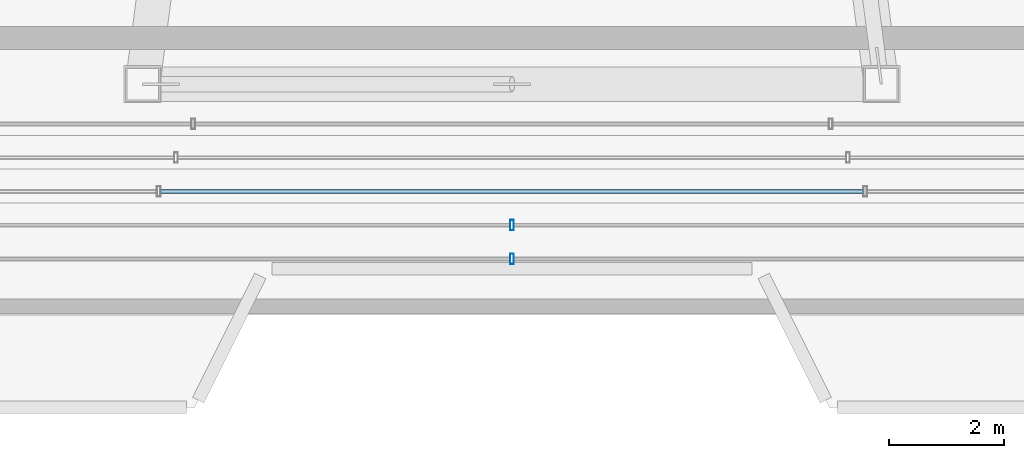
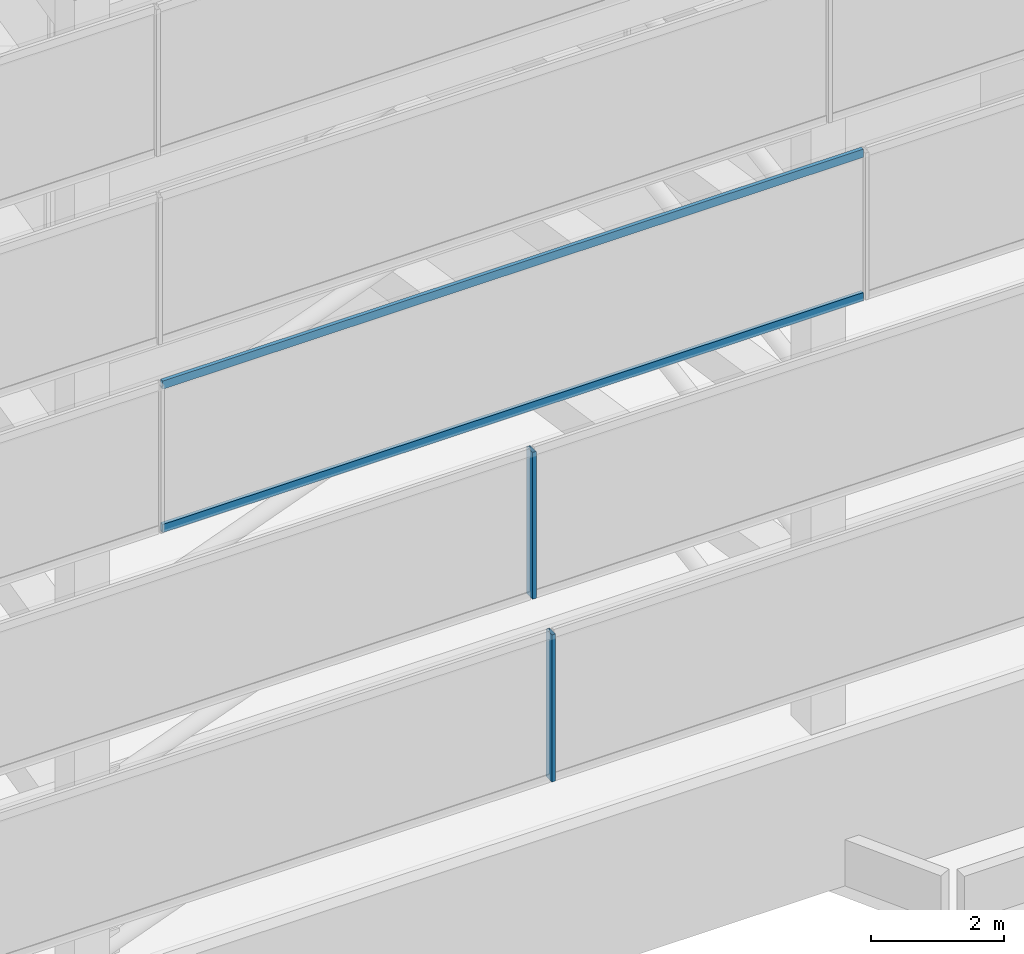
# One storey, part 7 of 29: 4 members, 3 elements without a shape of their own.
"""IFC4 building model written with IfcOpenShell, lengths in metres."""

from ifc_helpers import new_model, si_unit, direction, frame, origin, origin_2d, place, context, subcontext, project, spatial, hollow_rectangle, extrude, material, material_profile, profile_set, type_object, element, aggregate, save


model = new_model("IFC4")

# Units and contexts
model_context = context("Model", 3, precision=1e-05, world=origin(), true_north=direction((0.0, 1.0)))
body_context = subcontext(model_context, "Body", "Model", "MODEL_VIEW")
ifc_project = project(units=[si_unit("LENGTHUNIT", "METRE"), si_unit("AREAUNIT", "SQUARE_METRE"), si_unit("VOLUMEUNIT", "CUBIC_METRE"), si_unit("PLANEANGLEUNIT", "RADIAN"), si_unit("MASSUNIT", "GRAM", prefix="KILO")], contexts=[model_context])

# Site, building, storey
site_placement = place(None, origin())
site = spatial("IfcSite", under=ifc_project, at=site_placement, CompositionType="ELEMENT")
building_placement = place(site_placement, origin())
building = spatial("IfcBuilding", under=site, at=building_placement, Name="Saevonmaru Cultural Tower", CompositionType="ELEMENT")
storey_placement = place(building_placement, frame((0.0, 0.0, 327.60009765625)))
storey = spatial("IfcBuildingStorey", under=building, at=storey_placement, Name="RF", CompositionType="ELEMENT", Elevation=327.60009765625)

# Curtain wall, member
ifc_material = material(Name="Satin Bronze Anodised Aluminium", Category="aluminium")
curtain_wall_type = type_object("IfcCurtainWallType", Name="CW-TYP-B", PredefinedType="NOTDEFINED", material=ifc_material)
curtain_wall_1_placement = place(storey_placement, origin())
curtain_wall_1 = element("IfcCurtainWall", 1, at=curtain_wall_1_placement, inside=storey, type_object=curtain_wall_type, Name="RF Ziggurat Crown Tier 2 Bronze Louvre Screen 1", PredefinedType="NOTDEFINED")
ifc_material_profile_1 = material_profile(ifc_material, hollow_rectangle(XDim=0.06494140625, YDim=0.179931640625, WallThickness=0.00390625, at=origin_2d()), Name="ALU-MULL-180x65x4")
ifc_profile_set_1 = profile_set([ifc_material_profile_1], Name="Satin Bronze Anodised Aluminium")
member_type_1 = type_object("IfcMemberType", Name="ML-CW-180x65", PredefinedType="MULLION", material=ifc_profile_set_1)
member_1_placement = place(storey_placement, frame((30.0, 39.3701171875, 3.0), z_axis=(0.0, 0.0, 1.0), x_axis=(1.0, 0.0, 0.0)))
member_1 = element("IfcMember", 2, at=member_1_placement, type_object=member_type_1, Name="CW-CROWN-T2-1 mullion 3", PredefinedType="MULLION", context=body_context, shape_type="SweptSolid", body=[
    extrude(hollow_rectangle(XDim=0.06494140625, YDim=0.179931640625, WallThickness=0.00390625, at=origin_2d()), origin(), (0.0, 0.0, 1.0), 2.699951171875),
])
aggregate(curtain_wall_1, [member_1])

curtain_wall_2_placement = place(storey_placement, origin())
curtain_wall_2 = element("IfcCurtainWall", 3, at=curtain_wall_2_placement, inside=storey, type_object=curtain_wall_type, Name="RF Ziggurat Crown Tier 3 Bronze Louvre Screen 1", PredefinedType="NOTDEFINED")
member_2_placement = place(storey_placement, frame((30.0, 39.955078125, 6.0), z_axis=(0.0, 0.0, 1.0), x_axis=(1.0, 0.0, 0.0)))
member_2 = element("IfcMember", 4, at=member_2_placement, type_object=member_type_1, Name="CW-CROWN-T3-1 mullion 3", PredefinedType="MULLION", context=body_context, shape_type="SweptSolid", body=[
    extrude(hollow_rectangle(XDim=0.06494140625, YDim=0.179931640625, WallThickness=0.00390625, at=origin_2d()), origin(), (0.0, 0.0, 1.0), 2.699951171875),
])
aggregate(curtain_wall_2, [member_2])

# Curtain wall, members
curtain_wall_3_placement = place(storey_placement, origin())
curtain_wall_3 = element("IfcCurtainWall", 5, at=curtain_wall_3_placement, inside=storey, type_object=curtain_wall_type, Name="RF Ziggurat Crown Tier 4 Bronze Louvre Screen 1", PredefinedType="NOTDEFINED")
ifc_material_profile_2 = material_profile(ifc_material, hollow_rectangle(XDim=0.06494140625, YDim=0.14990234375, WallThickness=0.00390625, at=origin_2d()), Name="ALU-TRAN-150x65x4")
ifc_profile_set_2 = profile_set([ifc_material_profile_2], Name="Satin Bronze Anodised Aluminium")
member_type_2 = type_object("IfcMemberType", Name="TR-CW-150x65", PredefinedType="USERDEFINED", material=ifc_profile_set_2)
member_3_placement = place(storey_placement, frame((23.91015625, 40.5400390625, 9.032470703125), z_axis=(1.0, 0.0, 0.0), x_axis=(0.0, 1.0, 0.0)))
member_3 = element("IfcMember", 6, at=member_3_placement, type_object=member_type_2, Name="CW-CROWN-T4-1 transom 2.1", ObjectType="TRANSOM", PredefinedType="USERDEFINED", context=body_context, shape_type="SweptSolid", body=[
    extrude(hollow_rectangle(XDim=0.06494140625, YDim=0.14990234375, WallThickness=0.00390625, at=origin_2d()), origin(), (0.0, 0.0, 1.0), 12.1796875),
])
member_4_placement = place(storey_placement, frame((23.91015625, 40.5400390625, 11.66748046875), z_axis=(1.0, 0.0, 0.0), x_axis=(0.0, 1.0, 0.0)))
member_4 = element("IfcMember", 7, at=member_4_placement, type_object=member_type_2, Name="CW-CROWN-T4-1 transom 2.2", ObjectType="TRANSOM", PredefinedType="USERDEFINED", context=body_context, shape_type="SweptSolid", body=[
    extrude(hollow_rectangle(XDim=0.06494140625, YDim=0.14990234375, WallThickness=0.00390625, at=origin_2d()), origin(), (0.0, 0.0, 1.0), 12.1796875),
])
aggregate(curtain_wall_3, [member_3, member_4])

save(model, "model.ifc")
